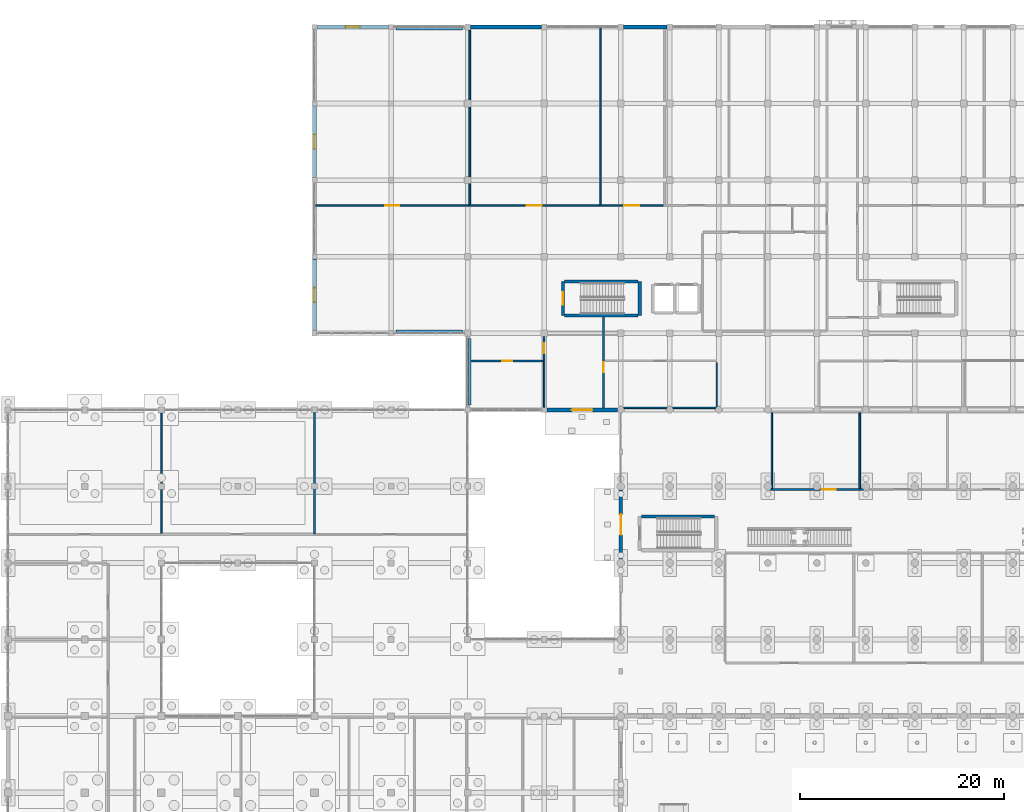
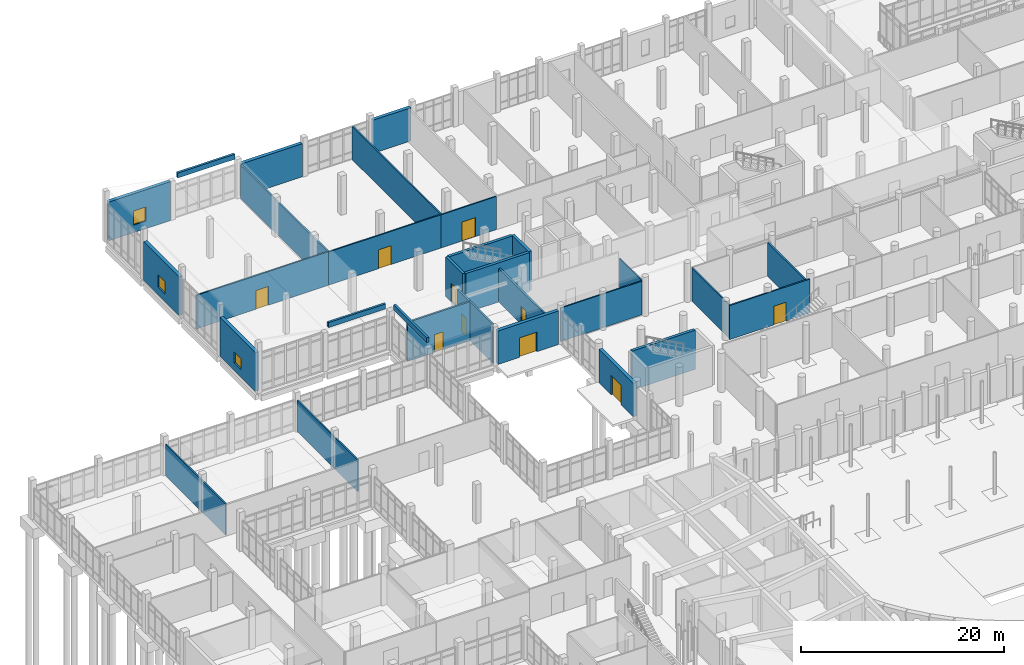
# One storey, part 154 of 173: 31 walls, 10 doors, 3 windows, 13 openings.
"""IFC4 building model written with IfcOpenShell, lengths in metres."""

from ifc_helpers import new_model, si_unit, direction, frame, frame_2d, origin, place, context, subcontext, project, spatial, rectangle, extrude, material, layer, layer_set, type_object, element, fill, save


model = new_model("IFC4")

# Units and contexts
model_context = context("Model", 3, precision=1e-05, world=origin(), true_north=direction((0.0, 1.0)))
body_context = subcontext(model_context, "Body", "Model", "MODEL_VIEW")
ifc_project = project(units=[si_unit("LENGTHUNIT", "METRE"), si_unit("AREAUNIT", "SQUARE_METRE"), si_unit("VOLUMEUNIT", "CUBIC_METRE"), si_unit("PLANEANGLEUNIT", "RADIAN"), si_unit("MASSUNIT", "GRAM", prefix="KILO")], contexts=[model_context])

# Site, building, storey
site_placement = place(None, origin())
site = spatial("IfcSite", under=ifc_project, at=site_placement, CompositionType="ELEMENT")
building_placement = place(site_placement, origin())
building = spatial("IfcBuilding", under=site, at=building_placement, Name="Mawjan Specialist Oncology Clinic", CompositionType="ELEMENT")
storey_placement = place(building_placement, origin())
storey = spatial("IfcBuildingStorey", under=building, at=storey_placement, Name="L00", CompositionType="ELEMENT", Elevation=0.0)

# Wall, opening, window
ifc_material_1 = material(Name="Precast concrete C40/50", Category="concrete")
ifc_layer_1 = layer(ifc_material_1, 0.3798828125, Name="Precast concrete C40/50", Category="concrete")
ifc_layer_set_1 = layer_set([ifc_layer_1], Name="Precast concrete C40/50")
wall_type_1 = type_object("IfcWallType", Name="EW-380", PredefinedType="SOLIDWALL", material=ifc_layer_set_1)
wall_1_placement = place(storey_placement, frame((30.0, 83.550048828125, 0.0), z_axis=(0.0, 0.0, 1.0), x_axis=(0.0, 1.0, 0.0)))
wall_1 = element("IfcWall", 1, at=wall_1_placement, inside=storey, type_object=wall_type_1, Name="L00 Coral-Limestone Exterior Wall EW-L00-015", PredefinedType="SOLIDWALL", context=body_context, shape_type="SweptSolid", body=[
    extrude(rectangle(XDim=7.0, YDim=0.3798828125, at=frame_2d((3.5, 0.0))), origin(), (0.0, 0.0, 1.0), 4.669921875),
])
opening_1_placement = place(wall_1_placement, frame((2.800048828125, 0.0, 0.89990234375)))
opening_1 = element("IfcOpeningElement", 2, at=opening_1_placement, cuts=wall_1, Name="Opening WN-13", PredefinedType="OPENING", context=body_context, shape_type="SweptSolid", body=[
    extrude(rectangle(XDim=1.39990234375, YDim=1.300048828125, at=frame_2d((0.699951171875, 0.64990234375))), frame((0.0, 0.201904296875, 0.0), z_axis=(0.0, -1.0, 0.0), x_axis=(1.0, 0.0, 0.0)), (0.0, 0.0, 1.0), 0.40380859375),
])
ifc_material_2 = material(Name="Thermally broken low-E clinical aluminium window", Category="aluminium")
window_type_1 = type_object("IfcWindowType", Name="WN-13", PartitioningType="SINGLE_PANEL", PredefinedType="WINDOW", material=ifc_material_2)
window_1_placement = place(opening_1_placement, origin())
window_1 = element("IfcWindow", 3, at=window_1_placement, inside=storey, type_object=window_type_1, Name="L00 Clinical Low-E Window 001", OverallHeight=1.300048828125, OverallWidth=1.39990234375, PartitioningType="SINGLE_PANEL", PredefinedType="WINDOW", context=body_context, shape_type="SweptSolid", body=[
    extrude(rectangle(XDim=1.39990234375, YDim=1.300048828125, at=frame_2d((0.699951171875, 0.64990234375))), frame((0.0, 0.030029296875, 0.0), z_axis=(0.0, -1.0, 0.0), x_axis=(1.0, 0.0, 0.0)), (0.0, 0.0, 1.0), 0.06005859375),
])
fill(opening_1, window_1)

wall_2_placement = place(storey_placement, frame((30.0, 98.550048828125, 0.0), z_axis=(0.0, 0.0, 1.0), x_axis=(0.0, 1.0, 0.0)))
wall_2 = element("IfcWall", 4, at=wall_2_placement, inside=storey, type_object=wall_type_1, Name="L00 Coral-Limestone Exterior Wall EW-L00-016", PredefinedType="SOLIDWALL", context=body_context, shape_type="SweptSolid", body=[
    extrude(rectangle(XDim=7.0, YDim=0.3798828125, at=frame_2d((3.5, 0.0))), origin(), (0.0, 0.0, 1.0), 4.669921875),
])
opening_2_placement = place(wall_2_placement, frame((2.800048828125, 0.0, 0.89990234375)))
opening_2 = element("IfcOpeningElement", 5, at=opening_2_placement, cuts=wall_2, Name="Opening WN-14", PredefinedType="OPENING", context=body_context, shape_type="SweptSolid", body=[
    extrude(rectangle(XDim=1.39990234375, YDim=1.5, at=frame_2d((0.699951171875, 0.75))), frame((0.0, 0.201904296875, 0.0), z_axis=(0.0, -1.0, 0.0), x_axis=(1.0, 0.0, 0.0)), (0.0, 0.0, 1.0), 0.40380859375),
])
ifc_material_3 = material(Name="Thermally broken low-E clinical aluminium window", Category="aluminium")
window_type_2 = type_object("IfcWindowType", Name="WN-14", PartitioningType="SINGLE_PANEL", PredefinedType="WINDOW", material=ifc_material_3)
window_2_placement = place(opening_2_placement, origin())
window_2 = element("IfcWindow", 6, at=window_2_placement, inside=storey, type_object=window_type_2, Name="L00 Clinical Low-E Window 002", OverallHeight=1.5, OverallWidth=1.39990234375, PartitioningType="SINGLE_PANEL", PredefinedType="WINDOW", context=body_context, shape_type="SweptSolid", body=[
    extrude(rectangle(XDim=1.39990234375, YDim=1.5, at=frame_2d((0.699951171875, 0.75))), frame((0.0, 0.030029296875, 0.0), z_axis=(0.0, -1.0, 0.0), x_axis=(1.0, 0.0, 0.0)), (0.0, 0.0, 1.0), 0.06005859375),
])
fill(opening_2, window_2)

wall_3_placement = place(storey_placement, frame((30.25, 113.300048828125, 0.0), z_axis=(0.0, 0.0, 1.0), x_axis=(1.0, 0.0, 0.0)))
wall_3 = element("IfcWall", 7, at=wall_3_placement, inside=storey, type_object=wall_type_1, Name="L00 Coral-Limestone Exterior Wall EW-L00-017", PredefinedType="SOLIDWALL", context=body_context, shape_type="SweptSolid", body=[
    extrude(rectangle(XDim=7.0, YDim=0.3798828125, at=frame_2d((3.5, 0.0))), origin(), (0.0, 0.0, 1.0), 4.669921875),
])
opening_3_placement = place(wall_3_placement, frame((2.800048828125, 0.0, 0.89990234375)))
opening_3 = element("IfcOpeningElement", 8, at=opening_3_placement, cuts=wall_3, Name="Opening WN-15", PredefinedType="OPENING", context=body_context, shape_type="SweptSolid", body=[
    extrude(rectangle(XDim=1.39990234375, YDim=1.699951171875, at=frame_2d((0.699951171875, 0.85009765625))), frame((0.0, 0.201904296875, 0.0), z_axis=(0.0, -1.0, 0.0), x_axis=(1.0, 0.0, 0.0)), (0.0, 0.0, 1.0), 0.40380859375),
])
ifc_material_4 = material(Name="Thermally broken low-E clinical aluminium window", Category="aluminium")
window_type_3 = type_object("IfcWindowType", Name="WN-15", PartitioningType="SINGLE_PANEL", PredefinedType="WINDOW", material=ifc_material_4)
window_3_placement = place(opening_3_placement, origin())
window_3 = element("IfcWindow", 9, at=window_3_placement, inside=storey, type_object=window_type_3, Name="L00 Clinical Low-E Window 003", OverallHeight=1.699951171875, OverallWidth=1.39990234375, PartitioningType="SINGLE_PANEL", PredefinedType="WINDOW", context=body_context, shape_type="SweptSolid", body=[
    extrude(rectangle(XDim=1.39990234375, YDim=1.699951171875, at=frame_2d((0.699951171875, 0.85009765625))), frame((0.0, 0.030029296875, 0.0), z_axis=(0.0, -1.0, 0.0), x_axis=(1.0, 0.0, 0.0)), (0.0, 0.0, 1.0), 0.06005859375),
])
fill(opening_3, window_3)

# Walls
wall_4_placement = place(storey_placement, frame((45.27490234375, 113.300048828125, 0.0), z_axis=(0.0, 0.0, 1.0), x_axis=(1.0, 0.0, 0.0)))
element("IfcWall", 10, at=wall_4_placement, inside=storey, type_object=wall_type_1, Name="L00 Coral-Limestone Exterior Wall EW-L00-018", PredefinedType="SOLIDWALL", context=body_context, shape_type="SweptSolid", body=[
    extrude(rectangle(XDim=6.9501953125, YDim=0.3798828125, at=frame_2d((3.47509765625, 0.0))), origin(), (0.0, 0.0, 1.0), 3.985107421875),
])
wall_5_placement = place(storey_placement, frame((60.27490234375, 113.300048828125, 0.0), z_axis=(0.0, 0.0, 1.0), x_axis=(1.0, 0.0, 0.0)))
element("IfcWall", 11, at=wall_5_placement, inside=storey, type_object=wall_type_1, Name="L00 Coral-Limestone Exterior Wall EW-L00-019", PredefinedType="SOLIDWALL", context=body_context, shape_type="SweptSolid", body=[
    extrude(rectangle(XDim=4.25, YDim=0.3798828125, at=frame_2d((2.125, 0.0))), origin(), (0.0, 0.0, 1.0), 3.985107421875),
])

# Wall, opening, door
wall_6_placement = place(storey_placement, frame((60.0, 61.175048828125, 0.0), z_axis=(0.0, 0.0, 1.0), x_axis=(0.0, 1.0, 0.0)))
wall_6 = element("IfcWall", 12, at=wall_6_placement, inside=storey, type_object=wall_type_1, Name="L00 Coral-Limestone Exterior Wall EW-L00-061", PredefinedType="SOLIDWALL", context=body_context, shape_type="SweptSolid", body=[
    extrude(rectangle(XDim=6.75, YDim=0.3798828125, at=frame_2d((3.375, 0.0))), origin(), (0.0, 0.0, 1.0), 4.034912109375),
])
opening_4_placement = place(wall_6_placement, frame((2.375, 0.0, 0.0)))
opening_4 = element("IfcOpeningElement", 13, at=opening_4_placement, cuts=wall_6, Name="Opening DE-200", PredefinedType="OPENING", context=body_context, shape_type="SweptSolid", body=[
    extrude(rectangle(XDim=2.0, YDim=2.35009765625, at=frame_2d((1.0, 1.175048828125))), frame((0.0, 0.201904296875, 0.0), z_axis=(0.0, -1.0, 0.0), x_axis=(1.0, 0.0, 0.0)), (0.0, 0.0, 1.0), 0.40380859375),
])
ifc_material_5 = material(Name="Insulated marine-grade aluminium entrance assembly", Category="aluminium")
door_type_1 = type_object("IfcDoorType", Name="DE-200", OperationType="DOUBLE_DOOR_SINGLE_SWING", PredefinedType="DOOR", material=ifc_material_5)
door_1_placement = place(opening_4_placement, origin())
door_1 = element("IfcDoor", 14, at=door_1_placement, inside=storey, type_object=door_type_1, Name="Exit Stair ST-07 Final Exterior Discharge Door", OperationType="DOUBLE_DOOR_SINGLE_SWING", OverallHeight=2.35009765625, OverallWidth=2.0, PredefinedType="DOOR", context=body_context, shape_type="SweptSolid", body=[
    extrude(rectangle(XDim=2.0, YDim=2.35009765625, at=frame_2d((1.0, 1.175048828125))), frame((0.0, 0.02490234375, 0.0), z_axis=(0.0, -1.0, 0.0), x_axis=(1.0, 0.0, 0.0)), (0.0, 0.0, 1.0), 0.050048828125),
])
fill(opening_4, door_1)

wall_7_placement = place(storey_placement, frame((59.675048828125, 75.800048828125, 0.0), z_axis=(0.0, 0.0, 1.0), x_axis=(-1.0, 0.0, 0.0)))
wall_7 = element("IfcWall", 15, at=wall_7_placement, inside=storey, type_object=wall_type_1, Name="L00 Coral-Limestone Exterior Wall EW-L00-062", PredefinedType="SOLIDWALL", context=body_context, shape_type="SweptSolid", body=[
    extrude(rectangle(XDim=6.925048828125, YDim=0.3798828125, at=frame_2d((3.46240234375, 0.0))), origin(), (0.0, 0.0, 1.0), 4.034912109375),
])
opening_5_placement = place(wall_7_placement, frame((2.46240234375, 0.0, 0.0)))
opening_5 = element("IfcOpeningElement", 16, at=opening_5_placement, cuts=wall_7, Name="Opening DE-200", PredefinedType="OPENING", context=body_context, shape_type="SweptSolid", body=[
    extrude(rectangle(XDim=2.0, YDim=2.35009765625, at=frame_2d((1.0, 1.175048828125))), frame((0.0, 0.201904296875, 0.0), z_axis=(0.0, -1.0, 0.0), x_axis=(1.0, 0.0, 0.0)), (0.0, 0.0, 1.0), 0.40380859375),
])
door_2_placement = place(opening_5_placement, origin())
door_2 = element("IfcDoor", 17, at=door_2_placement, inside=storey, type_object=door_type_1, Name="Exit Stair ST-03 Final Exterior Discharge Door", OperationType="DOUBLE_DOOR_SINGLE_SWING", OverallHeight=2.35009765625, OverallWidth=2.0, PredefinedType="DOOR", context=body_context, shape_type="SweptSolid", body=[
    extrude(rectangle(XDim=2.0, YDim=2.35009765625, at=frame_2d((1.0, 1.175048828125))), frame((0.0, 0.02490234375, 0.0), z_axis=(0.0, -1.0, 0.0), x_axis=(1.0, 0.0, 0.0)), (0.0, 0.0, 1.0), 0.050048828125),
])
fill(opening_5, door_2)

# Walls
ifc_material_6 = material(Name="Precast concrete C40/50", Category="concrete")
ifc_layer_2 = layer(ifc_material_6, 0.239990234375, Name="Precast concrete C40/50", Category="concrete")
ifc_layer_set_2 = layer_set([ifc_layer_2], Name="Precast concrete C40/50")
wall_type_2 = type_object("IfcWallType", Name="PAR-240", PredefinedType="PARAPET", material=ifc_layer_set_2)
wall_8_placement = place(storey_placement, frame((44.5, 83.47998046875, 4.89990234375), z_axis=(0.0, 0.0, 1.0), x_axis=(-1.0, 0.0, 0.0)))
element("IfcWall", 18, at=wall_8_placement, inside=storey, type_object=wall_type_2, Name="L00 Roof Parapet Upstand 8", PredefinedType="PARAPET", context=body_context, shape_type="SweptSolid", body=[
    extrude(rectangle(XDim=6.52001953125, YDim=0.239990234375, at=frame_2d((3.260009765625, 0.0))), origin(), (0.0, 0.0, 1.0), 0.60009765625),
])
ifc_material_7 = material(Name="Precast concrete C40/50", Category="concrete")
ifc_layer_3 = layer(ifc_material_7, 0.260009765625, Name="Precast concrete C40/50", Category="concrete")
ifc_layer_set_3 = layer_set([ifc_layer_3], Name="Precast concrete C40/50")
wall_type_3 = type_object("IfcWallType", Name="PAR-260", PredefinedType="PARAPET", material=ifc_layer_set_3)
for number, where, z_axis, x_axis, name in (
    (19, (37.97998046875, 113.1201171875, 4.89990234375), (0.0, 0.0, 1.0), (1.0, 0.0, 0.0), "L00 Roof Parapet Upstand 7"),
    (20, (45.199951171875, 76.280029296875, 4.89990234375), (0.0, 0.0, 1.0), (0.0, 1.0, 0.0), "L00 Roof Parapet Upstand 9"),
):
    element("IfcWall", number, at=place(storey_placement, frame(where, z_axis=z_axis, x_axis=x_axis)), inside=storey, type_object=wall_type_3, Name=name, PredefinedType="PARAPET", context=body_context, shape_type="SweptSolid", body=[
        extrude(rectangle(XDim=6.52001953125, YDim=0.260009765625, at=frame_2d((3.260009765625, 0.0))), origin(), (0.0, 0.0, 1.0), 0.60009765625),
    ])
ifc_material_8 = material(Name="Concrete C45/55", Category="concrete")
ifc_layer_4 = layer(ifc_material_8, 0.320068359375, Name="Concrete C45/55", Category="concrete")
ifc_layer_set_4 = layer_set([ifc_layer_4], Name="Concrete C45/55")
wall_type_4 = type_object("IfcWallType", Name="SW-350", PredefinedType="SHEAR", material=ifc_layer_set_4)
wall_9_placement = place(storey_placement, frame((54.5048828125, 85.0400390625, 0.0), z_axis=(0.0, 0.0, 1.0), x_axis=(1.0, 0.0, 0.0)))
element("IfcWall", 21, at=wall_9_placement, inside=storey, type_object=wall_type_4, Name="L00 Core K3 Stair Shear Wall 1", PredefinedType="SHEAR", context=body_context, shape_type="SweptSolid", body=[
    extrude(rectangle(XDim=7.190185546875, YDim=0.320068359375, at=frame_2d((3.59521484375, 0.0))), origin(), (0.0, 0.0, 1.0), 4.699951171875),
])
wall_10_placement = place(storey_placement, frame((61.860107421875, 85.0400390625, 0.0), z_axis=(0.0, 0.0, 1.0), x_axis=(0.0, 1.0, 0.0)))
element("IfcWall", 22, at=wall_10_placement, inside=storey, type_object=wall_type_4, Name="L00 Core K3 Stair Shear Wall 2", PredefinedType="SHEAR", context=body_context, shape_type="SweptSolid", body=[
    extrude(rectangle(XDim=3.320068359375, YDim=0.320068359375, at=frame_2d((1.66015625, 0.0))), origin(), (0.0, 0.0, 1.0), 4.699951171875),
])
wall_11_placement = place(storey_placement, frame((61.695068359375, 88.360107421875, 0.0), z_axis=(0.0, 0.0, 1.0), x_axis=(-1.0, 0.0, 0.0)))
element("IfcWall", 23, at=wall_11_placement, inside=storey, type_object=wall_type_4, Name="L00 Core K3 Stair Shear Wall 3", PredefinedType="SHEAR", context=body_context, shape_type="SweptSolid", body=[
    extrude(rectangle(XDim=7.190185546875, YDim=0.320068359375, at=frame_2d((3.59521484375, 0.0))), origin(), (0.0, 0.0, 1.0), 4.699951171875),
])

# Wall, opening, door
wall_12_placement = place(storey_placement, frame((54.340087890625, 88.360107421875, 0.0), z_axis=(0.0, 0.0, 1.0), x_axis=(0.0, -1.0, 0.0)))
wall_12 = element("IfcWall", 24, at=wall_12_placement, inside=storey, type_object=wall_type_4, Name="L00 Core K3 Stair Shear Wall 4", PredefinedType="SHEAR", context=body_context, shape_type="SweptSolid", body=[
    extrude(rectangle(XDim=3.320068359375, YDim=0.320068359375, at=frame_2d((1.66015625, 0.0))), origin(), (0.0, 0.0, 1.0), 4.699951171875),
])
opening_6_placement = place(wall_12_placement, frame((1.034912109375, 0.0, 0.0)))
opening_6 = element("IfcOpeningElement", 25, at=opening_6_placement, cuts=wall_12, Name="Opening FD-90W", PredefinedType="OPENING", context=body_context, shape_type="SweptSolid", body=[
    extrude(rectangle(XDim=1.25, YDim=2.199951171875, at=frame_2d((0.625, 1.10009765625))), frame((0.0, 0.172119140625, 0.0), z_axis=(0.0, -1.0, 0.0), x_axis=(1.0, 0.0, 0.0)), (0.0, 0.0, 1.0), 0.343994140625),
])
ifc_material_9 = material(Name="Stainless-steel fire-rated hospital door", Category="steel")
door_type_2 = type_object("IfcDoorType", Name="FD-90W", OperationType="NOTDEFINED", PredefinedType="DOOR", material=ifc_material_9)
door_3_placement = place(opening_6_placement, origin())
door_3 = element("IfcDoor", 26, at=door_3_placement, inside=storey, type_object=door_type_2, Name="L00 ST-03 Fire Exit Stair Door", OperationType="SINGLE_SWING_LEFT", OverallHeight=2.199951171875, OverallWidth=1.25, PredefinedType="DOOR", context=body_context, shape_type="SweptSolid", body=[
    extrude(rectangle(XDim=1.25, YDim=2.199951171875, at=frame_2d((0.625, 1.10009765625))), frame((0.0, 0.02490234375, 0.0), z_axis=(0.0, -1.0, 0.0), x_axis=(1.0, 0.0, 0.0)), (0.0, 0.0, 1.0), 0.050048828125),
])
fill(opening_6, door_3)

# Walls
wall_13_placement = place(storey_placement, frame((69.195068359375, 65.360107421875, 0.0), z_axis=(0.0, 0.0, 1.0), x_axis=(-1.0, 0.0, 0.0)))
element("IfcWall", 27, at=wall_13_placement, inside=storey, type_object=wall_type_4, Name="L00 Core K7 Stair Shear Wall 3", PredefinedType="SHEAR", context=body_context, shape_type="SweptSolid", body=[
    extrude(rectangle(XDim=7.190185546875, YDim=0.320068359375, at=frame_2d((3.59521484375, 0.0))), origin(), (0.0, 0.0, 1.0), 4.699951171875),
])
ifc_material_10 = material(Name="Moisture-resistant washroom partition", Category="gypsum")
ifc_layer_5 = layer(ifc_material_10, 0.125, Name="Moisture-resistant washroom partition", Category="gypsum")
ifc_layer_set_5 = layer_set([ifc_layer_5], Name="Moisture-resistant washroom partition")
wall_type_5 = type_object("IfcWallType", Name="WP-125", PredefinedType="PARTITIONING", material=ifc_layer_set_5)
wall_14_placement = place(storey_placement, frame((69.39990234375, 76.06787109375, 0.0), z_axis=(0.0, 0.0, 1.0), x_axis=(0.0, 1.0, 0.0)))
element("IfcWall", 28, at=wall_14_placement, inside=storey, type_object=wall_type_5, Name="L00 Interior Partition W-INT-L00-P09-D", PredefinedType="PARTITIONING", context=body_context, shape_type="SweptSolid", body=[
    extrude(rectangle(XDim=4.3671875, YDim=0.125, at=frame_2d((2.18359375, 0.0))), origin(), (0.0, 0.0, 1.0), 4.034912109375),
])

# Wall, opening, door
ifc_material_11 = material(Name="Acoustic gypsum clinical partition", Category="gypsum")
ifc_layer_6 = layer(ifc_material_11, 0.14990234375, Name="Acoustic gypsum clinical partition", Category="gypsum")
ifc_layer_set_6 = layer_set([ifc_layer_6], Name="Acoustic gypsum clinical partition")
wall_type_6 = type_object("IfcWallType", Name="WP-150", PredefinedType="PARTITIONING", material=ifc_layer_set_6)
wall_15_placement = place(storey_placement, frame((45.126953125, 95.800048828125, 0.0), z_axis=(0.0, 0.0, 1.0), x_axis=(1.0, 0.0, 0.0)))
wall_15 = element("IfcWall", 29, at=wall_15_placement, inside=storey, type_object=wall_type_6, Name="L00 Interior Partition W-INT-L00-P01-C", PredefinedType="PARTITIONING", context=body_context, shape_type="SweptSolid", body=[
    extrude(rectangle(XDim=12.7880859375, YDim=0.14990234375, at=frame_2d((6.39404296875, 0.0))), origin(), (0.0, 0.0, 1.0), 3.985107421875),
])
opening_7_placement = place(wall_15_placement, frame((5.6689453125, 0.0, 0.0)))
opening_7 = element("IfcOpeningElement", 30, at=opening_7_placement, cuts=wall_15, Name="Opening DC-145", PredefinedType="OPENING", context=body_context, shape_type="SweptSolid", body=[
    extrude(rectangle(XDim=1.449951171875, YDim=2.260009765625, at=frame_2d((0.72509765625, 1.1298828125))), frame((0.0, 0.0869140625, 0.0), z_axis=(0.0, -1.0, 0.0), x_axis=(1.0, 0.0, 0.0)), (0.0, 0.0, 1.0), 0.173828125),
])
ifc_material_12 = material(Name="Acoustic laminate hospital door leaf", Category="wood")
door_type_3 = type_object("IfcDoorType", Name="DC-145", OperationType="NOTDEFINED", PredefinedType="DOOR", material=ifc_material_12)
door_4_placement = place(opening_7_placement, origin())
door_4 = element("IfcDoor", 31, at=door_4_placement, inside=storey, type_object=door_type_3, Name="L00 Pre-Procedure Assessment Bay Door", OperationType="SINGLE_SWING_RIGHT", OverallHeight=2.260009765625, OverallWidth=1.449951171875, PredefinedType="DOOR", context=body_context, shape_type="SweptSolid", body=[
    extrude(rectangle(XDim=1.449951171875, YDim=2.260009765625, at=frame_2d((0.72509765625, 1.1298828125))), frame((0.0, 0.02490234375, 0.0), z_axis=(0.0, -1.0, 0.0), x_axis=(1.0, 0.0, 0.0)), (0.0, 0.0, 1.0), 0.050048828125),
])
fill(opening_7, door_4)

wall_16_placement = place(storey_placement, frame((57.927001953125, 95.800048828125, 0.0), z_axis=(0.0, 0.0, 1.0), x_axis=(1.0, 0.0, 0.0)))
wall_16 = element("IfcWall", 32, at=wall_16_placement, inside=storey, type_object=wall_type_6, Name="L00 Interior Partition W-INT-L00-P02A-C", PredefinedType="PARTITIONING", context=body_context, shape_type="SweptSolid", body=[
    extrude(rectangle(XDim=6.2880859375, YDim=0.14990234375, at=frame_2d((3.14404296875, 0.0))), origin(), (0.0, 0.0, 1.0), 3.985107421875),
])
opening_8_placement = place(wall_16_placement, frame((2.39404296875, 0.0, 0.0)))
opening_8 = element("IfcOpeningElement", 33, at=opening_8_placement, cuts=wall_16, Name="Opening DC-150", PredefinedType="OPENING", context=body_context, shape_type="SweptSolid", body=[
    extrude(rectangle(XDim=1.5, YDim=2.280029296875, at=frame_2d((0.75, 1.14013671875))), frame((0.0, 0.0869140625, 0.0), z_axis=(0.0, -1.0, 0.0), x_axis=(1.0, 0.0, 0.0)), (0.0, 0.0, 1.0), 0.173828125),
])
ifc_material_13 = material(Name="Acoustic laminate hospital door leaf", Category="wood")
door_type_4 = type_object("IfcDoorType", Name="DC-150", OperationType="NOTDEFINED", PredefinedType="DOOR", material=ifc_material_13)
door_5_placement = place(opening_8_placement, origin())
door_5 = element("IfcDoor", 34, at=door_5_placement, inside=storey, type_object=door_type_4, Name="L00 Minor Oncology Procedure Room A Door", OperationType="SINGLE_SWING_LEFT", OverallHeight=2.280029296875, OverallWidth=1.5, PredefinedType="DOOR", context=body_context, shape_type="SweptSolid", body=[
    extrude(rectangle(XDim=1.5, YDim=2.280029296875, at=frame_2d((0.75, 1.14013671875))), frame((0.0, 0.02490234375, 0.0), z_axis=(0.0, -1.0, 0.0), x_axis=(1.0, 0.0, 0.0)), (0.0, 0.0, 1.0), 0.050048828125),
])
fill(opening_8, door_5)

# Walls
wall_17_placement = place(storey_placement, frame((60.0595703125, 76.0, 0.0), z_axis=(0.0, 0.0, 1.0), x_axis=(1.0, 0.0, 0.0)))
element("IfcWall", 35, at=wall_17_placement, inside=storey, type_object=wall_type_6, Name="L00 Interior Partition W-INT-L00-P09-R", PredefinedType="PARTITIONING", context=body_context, shape_type="SweptSolid", body=[
    extrude(rectangle(XDim=9.2724609375, YDim=0.14990234375, at=frame_2d((4.63623046875, 0.0))), origin(), (0.0, 0.0, 1.0), 4.034912109375),
])
wall_18_placement = place(storey_placement, frame((15.0, 63.701904296875, 0.0), z_axis=(0.0, 0.0, 1.0), x_axis=(0.0, 1.0, 0.0)))
element("IfcWall", 36, at=wall_18_placement, inside=storey, type_object=wall_type_6, Name="L00 Interior Partition W-INT-L00-012-D", PredefinedType="PARTITIONING", context=body_context, shape_type="SweptSolid", body=[
    extrude(rectangle(XDim=11.7861328125, YDim=0.14990234375, at=frame_2d((5.89306640625, 0.0))), origin(), (0.0, 0.0, 1.0), 3.764892578125),
])
wall_19_placement = place(storey_placement, frame((74.800048828125, 68.092041015625, 0.0), z_axis=(0.0, 0.0, 1.0), x_axis=(0.0, 1.0, 0.0)))
element("IfcWall", 37, at=wall_19_placement, inside=storey, type_object=wall_type_6, Name="L00 Interior Partition W-INT-L00-H01-D0", PredefinedType="PARTITIONING", context=body_context, shape_type="SweptSolid", body=[
    extrude(rectangle(XDim=7.4208984375, YDim=0.14990234375, at=frame_2d((3.71044921875, 0.0))), origin(), (0.0, 0.0, 1.0), 3.985107421875),
])
wall_20_placement = place(storey_placement, frame((52.5, 76.06201171875, 0.0), z_axis=(0.0, 0.0, 1.0), x_axis=(0.0, 1.0, 0.0)))
element("IfcWall", 38, at=wall_20_placement, inside=storey, type_object=wall_type_6, Name="L00 Interior Partition W-INT-L00-P08-D", PredefinedType="PARTITIONING", context=body_context, shape_type="SweptSolid", body=[
    extrude(rectangle(XDim=4.611083984375, YDim=0.14990234375, at=frame_2d((2.3056640625, 0.0))), origin(), (0.0, 0.0, 1.0), 4.699951171875),
])

# Wall, opening, door
ifc_material_14 = material(Name="Acoustic clinical twin-stud partition", Category="gypsum")
ifc_layer_7 = layer(ifc_material_14, 0.159912109375, Name="Acoustic clinical twin-stud partition", Category="gypsum")
ifc_layer_set_7 = layer_set([ifc_layer_7], Name="Acoustic clinical twin-stud partition")
wall_type_7 = type_object("IfcWallType", Name="WP-160", PredefinedType="PARTITIONING", material=ifc_layer_set_7)
wall_21_placement = place(storey_placement, frame((74.636474609375, 68.0, 0.0), z_axis=(0.0, 0.0, 1.0), x_axis=(1.0, 0.0, 0.0)))
wall_21 = element("IfcWall", 39, at=wall_21_placement, inside=storey, type_object=wall_type_7, Name="L00 Interior Partition W-INT-L00-H01-C", PredefinedType="PARTITIONING", context=body_context, shape_type="SweptSolid", body=[
    extrude(rectangle(XDim=9.126953125, YDim=0.159912109375, at=frame_2d((4.5634765625, 0.0))), origin(), (0.0, 0.0, 1.0), 4.0849609375),
])
opening_9_placement = place(wall_21_placement, frame((5.0224609375, 0.0, 0.0)))
opening_9 = element("IfcOpeningElement", 40, at=opening_9_placement, cuts=wall_21, Name="Opening DC-140", PredefinedType="OPENING", context=body_context, shape_type="SweptSolid", body=[
    extrude(rectangle(XDim=1.39990234375, YDim=2.25, at=frame_2d((0.699951171875, 1.125))), frame((0.0, 0.092041015625, 0.0), z_axis=(0.0, -1.0, 0.0), x_axis=(1.0, 0.0, 0.0)), (0.0, 0.0, 1.0), 0.183837890625),
])
ifc_material_15 = material(Name="Acoustic laminate hospital door leaf", Category="wood")
door_type_5 = type_object("IfcDoorType", Name="DC-140", OperationType="NOTDEFINED", PredefinedType="DOOR", material=ifc_material_15)
door_6_placement = place(opening_9_placement, origin())
door_6 = element("IfcDoor", 41, at=door_6_placement, inside=storey, type_object=door_type_5, Name="L00 Ground Day-Infusion Bay Hall Door", OperationType="SINGLE_SWING_LEFT", OverallHeight=2.25, OverallWidth=1.39990234375, PredefinedType="DOOR", context=body_context, shape_type="SweptSolid", body=[
    extrude(rectangle(XDim=1.39990234375, YDim=2.25, at=frame_2d((0.699951171875, 1.125))), frame((0.0, 0.02490234375, 0.0), z_axis=(0.0, -1.0, 0.0), x_axis=(1.0, 0.0, 0.0)), (0.0, 0.0, 1.0), 0.050048828125),
])
fill(opening_9, door_6)

wall_22_placement = place(storey_placement, frame((30.10205078125, 95.800048828125, 0.0), z_axis=(0.0, 0.0, 1.0), x_axis=(1.0, 0.0, 0.0)))
wall_22 = element("IfcWall", 42, at=wall_22_placement, inside=storey, type_object=wall_type_7, Name="L00 Interior Partition W-INT-L00-P00-C", PredefinedType="PARTITIONING", context=body_context, shape_type="SweptSolid", body=[
    extrude(rectangle(XDim=15.012939453125, YDim=0.159912109375, at=frame_2d((7.50634765625, 0.0))), origin(), (0.0, 0.0, 1.0), 4.034912109375),
])
opening_10_placement = place(wall_22_placement, frame((6.806396484375, 0.0, 0.0)))
opening_10 = element("IfcOpeningElement", 43, at=opening_10_placement, cuts=wall_22, Name="Opening DC-140", PredefinedType="OPENING", context=body_context, shape_type="SweptSolid", body=[
    extrude(rectangle(XDim=1.39990234375, YDim=2.25, at=frame_2d((0.699951171875, 1.125))), frame((0.0, 0.092041015625, 0.0), z_axis=(0.0, -1.0, 0.0), x_axis=(1.0, 0.0, 0.0)), (0.0, 0.0, 1.0), 0.183837890625),
])
door_7_placement = place(opening_10_placement, origin())
door_7 = element("IfcDoor", 44, at=door_7_placement, inside=storey, type_object=door_type_5, Name="L00 Ambulatory Care Admission Suite Door", OperationType="SINGLE_SWING_LEFT", OverallHeight=2.25, OverallWidth=1.39990234375, PredefinedType="DOOR", context=body_context, shape_type="SweptSolid", body=[
    extrude(rectangle(XDim=1.39990234375, YDim=2.25, at=frame_2d((0.699951171875, 1.125))), frame((0.0, 0.02490234375, 0.0), z_axis=(0.0, -1.0, 0.0), x_axis=(1.0, 0.0, 0.0)), (0.0, 0.0, 1.0), 0.050048828125),
])
fill(opening_10, door_7)

# Walls
wall_23_placement = place(storey_placement, frame((30.0, 63.674560546875, 0.0), z_axis=(0.0, 0.0, 1.0), x_axis=(0.0, 1.0, 0.0)))
element("IfcWall", 45, at=wall_23_placement, inside=storey, type_object=wall_type_7, Name="L00 Interior Partition W-INT-L00-013-D", PredefinedType="PARTITIONING", context=body_context, shape_type="SweptSolid", body=[
    extrude(rectangle(XDim=11.83837890625, YDim=0.159912109375, at=frame_2d((5.919189453125, 0.0))), origin(), (0.0, 0.0, 1.0), 3.764892578125),
])
wall_24_placement = place(storey_placement, frame((58.0, 95.886962890625, 0.0), z_axis=(0.0, 0.0, 1.0), x_axis=(0.0, 1.0, 0.0)))
element("IfcWall", 46, at=wall_24_placement, inside=storey, type_object=wall_type_7, Name="L00 Interior Partition W-INT-L00-P01-D", PredefinedType="PARTITIONING", context=body_context, shape_type="SweptSolid", body=[
    extrude(rectangle(XDim=17.31103515625, YDim=0.159912109375, at=frame_2d((8.655517578125, 0.0))), origin(), (0.0, 0.0, 1.0), 3.985107421875),
])
ifc_material_16 = material(Name="Lead-lined radiation-shielded clinical partition", Category="gypsum")
ifc_layer_8 = layer(ifc_material_16, 0.179931640625, Name="Lead-lined radiation-shielded clinical partition", Category="gypsum")
ifc_layer_set_8 = layer_set([ifc_layer_8], Name="Lead-lined radiation-shielded clinical partition")
wall_type_8 = type_object("IfcWallType", Name="WP-180", PredefinedType="PARTITIONING", material=ifc_layer_set_8)
wall_25_placement = place(storey_placement, frame((83.39990234375, 68.092041015625, 0.0), z_axis=(0.0, 0.0, 1.0), x_axis=(0.0, 1.0, 0.0)))
element("IfcWall", 47, at=wall_25_placement, inside=storey, type_object=wall_type_8, Name="L00 Interior Partition W-INT-L00-H01-D", PredefinedType="PARTITIONING", context=body_context, shape_type="SweptSolid", body=[
    extrude(rectangle(XDim=7.4208984375, YDim=0.179931640625, at=frame_2d((3.71044921875, 0.0))), origin(), (0.0, 0.0, 1.0), 4.034912109375),
])
wall_26_placement = place(storey_placement, frame((45.199951171875, 95.886962890625, 0.0), z_axis=(0.0, 0.0, 1.0), x_axis=(0.0, 1.0, 0.0)))
element("IfcWall", 48, at=wall_26_placement, inside=storey, type_object=wall_type_8, Name="L00 Interior Partition W-INT-L00-P00-D", PredefinedType="PARTITIONING", context=body_context, shape_type="SweptSolid", body=[
    extrude(rectangle(XDim=17.1259765625, YDim=0.179931640625, at=frame_2d((8.56298828125, 0.0))), origin(), (0.0, 0.0, 1.0), 3.985107421875),
])

# Wall, opening, door
ifc_material_17 = material(Name="Insulated fire-rated gypsum stud partition", Category="gypsum")
ifc_layer_9 = layer(ifc_material_17, 0.199951171875, Name="Insulated fire-rated gypsum stud partition", Category="gypsum")
ifc_layer_set_9 = layer_set([ifc_layer_9], Name="Insulated fire-rated gypsum stud partition")
wall_type_9 = type_object("IfcWallType", Name="WS-60", PredefinedType="PARTITIONING", material=ifc_layer_set_9)
wall_27_placement = place(storey_placement, frame((52.5, 80.68505859375, 0.0), z_axis=(0.0, 0.0, 1.0), x_axis=(0.0, 1.0, 0.0)))
wall_27 = element("IfcWall", 49, at=wall_27_placement, inside=storey, type_object=wall_type_9, Name="L00 Interior Partition W-INT-L00-K3E-W", PredefinedType="PARTITIONING", context=body_context, shape_type="SweptSolid", body=[
    extrude(rectangle(XDim=2.27783203125, YDim=0.199951171875, at=frame_2d((1.138916015625, 0.0))), origin(), (0.0, 0.0, 1.0), 4.699951171875),
])
opening_11_placement = place(wall_27_placement, frame((0.638916015625, 0.0, 0.0)))
opening_11 = element("IfcOpeningElement", 50, at=opening_11_placement, cuts=wall_27, Name="Opening DF-100", PredefinedType="OPENING", context=body_context, shape_type="SweptSolid", body=[
    extrude(rectangle(XDim=1.0, YDim=2.14990234375, at=frame_2d((0.5, 1.074951171875))), frame((0.0, 0.112060546875, 0.0), z_axis=(0.0, -1.0, 0.0), x_axis=(1.0, 0.0, 0.0)), (0.0, 0.0, 1.0), 0.223876953125),
])
ifc_material_18 = material(Name="Stainless-steel fire-rated hospital door", Category="steel")
door_type_6 = type_object("IfcDoorType", Name="DF-100", OperationType="NOTDEFINED", PredefinedType="DOOR", material=ifc_material_18)
door_8_placement = place(opening_11_placement, origin())
door_8 = element("IfcDoor", 51, at=door_8_placement, inside=storey, type_object=door_type_6, Name="L00 Stair ST-03 West Exit Lobby Fire Door", OperationType="SINGLE_SWING_RIGHT", OverallHeight=2.14990234375, OverallWidth=1.0, PredefinedType="DOOR", context=body_context, shape_type="SweptSolid", body=[
    extrude(rectangle(XDim=1.0, YDim=2.14990234375, at=frame_2d((0.5, 1.074951171875))), frame((0.0, 0.02490234375, 0.0), z_axis=(0.0, -1.0, 0.0), x_axis=(1.0, 0.0, 0.0)), (0.0, 0.0, 1.0), 0.050048828125),
])
fill(opening_11, door_8)

wall_28_placement = place(storey_placement, frame((58.300048828125, 76.001953125, 0.0), z_axis=(0.0, 0.0, 1.0), x_axis=(0.0, 1.0, 0.0)))
wall_28 = element("IfcWall", 52, at=wall_28_placement, inside=storey, type_object=wall_type_9, Name="L00 Interior Partition W-INT-L00-K3E-E", PredefinedType="PARTITIONING", context=body_context, shape_type="SweptSolid", body=[
    extrude(rectangle(XDim=8.865966796875, YDim=0.199951171875, at=frame_2d((4.43310546875, 0.0))), origin(), (0.0, 0.0, 1.0), 4.034912109375),
])
opening_12_placement = place(wall_28_placement, frame((3.4609375, 0.0, 0.0)))
opening_12 = element("IfcOpeningElement", 53, at=opening_12_placement, cuts=wall_28, Name="Opening DF-100", PredefinedType="OPENING", context=body_context, shape_type="SweptSolid", body=[
    extrude(rectangle(XDim=1.0, YDim=2.14990234375, at=frame_2d((0.5, 1.074951171875))), frame((0.0, 0.112060546875, 0.0), z_axis=(0.0, -1.0, 0.0), x_axis=(1.0, 0.0, 0.0)), (0.0, 0.0, 1.0), 0.223876953125),
])
door_9_placement = place(opening_12_placement, origin())
door_9 = element("IfcDoor", 54, at=door_9_placement, inside=storey, type_object=door_type_6, Name="L00 Stair ST-03 East Exit Lobby Fire Door", OperationType="SINGLE_SWING_LEFT", OverallHeight=2.14990234375, OverallWidth=1.0, PredefinedType="DOOR", context=body_context, shape_type="SweptSolid", body=[
    extrude(rectangle(XDim=1.0, YDim=2.14990234375, at=frame_2d((0.5, 1.074951171875))), frame((0.0, 0.02490234375, 0.0), z_axis=(0.0, -1.0, 0.0), x_axis=(1.0, 0.0, 0.0)), (0.0, 0.0, 1.0), 0.050048828125),
])
fill(opening_12, door_9)

wall_29_placement = place(storey_placement, frame((45.342041015625, 80.60009765625, 0.0), z_axis=(0.0, 0.0, 1.0), x_axis=(1.0, 0.0, 0.0)))
wall_29 = element("IfcWall", 55, at=wall_29_placement, inside=storey, type_object=wall_type_9, Name="L00 Interior Partition W-INT-L00-P08-C", PredefinedType="PARTITIONING", context=body_context, shape_type="SweptSolid", body=[
    extrude(rectangle(XDim=7.072998046875, YDim=0.199951171875, at=frame_2d((3.53662109375, 0.0))), origin(), (0.0, 0.0, 1.0), 4.699951171875),
])
opening_13_placement = place(wall_29_placement, frame((3.03662109375, 0.0, 0.0)))
opening_13 = element("IfcOpeningElement", 56, at=opening_13_placement, cuts=wall_29, Name="Opening DF-100", PredefinedType="OPENING", context=body_context, shape_type="SweptSolid", body=[
    extrude(rectangle(XDim=1.0, YDim=2.14990234375, at=frame_2d((0.5, 1.074951171875))), frame((0.0, 0.112060546875, 0.0), z_axis=(0.0, -1.0, 0.0), x_axis=(1.0, 0.0, 0.0)), (0.0, 0.0, 1.0), 0.223876953125),
])
door_10_placement = place(opening_13_placement, origin())
door_10 = element("IfcDoor", 57, at=door_10_placement, inside=storey, type_object=door_type_6, Name="L00 Outpatient Discharge Pharmacy Door", OperationType="SINGLE_SWING_LEFT", OverallHeight=2.14990234375, OverallWidth=1.0, PredefinedType="DOOR", context=body_context, shape_type="SweptSolid", body=[
    extrude(rectangle(XDim=1.0, YDim=2.14990234375, at=frame_2d((0.5, 1.074951171875))), frame((0.0, 0.02490234375, 0.0), z_axis=(0.0, -1.0, 0.0), x_axis=(1.0, 0.0, 0.0)), (0.0, 0.0, 1.0), 0.050048828125),
])
fill(opening_13, door_10)

save(model, "model.ifc")
